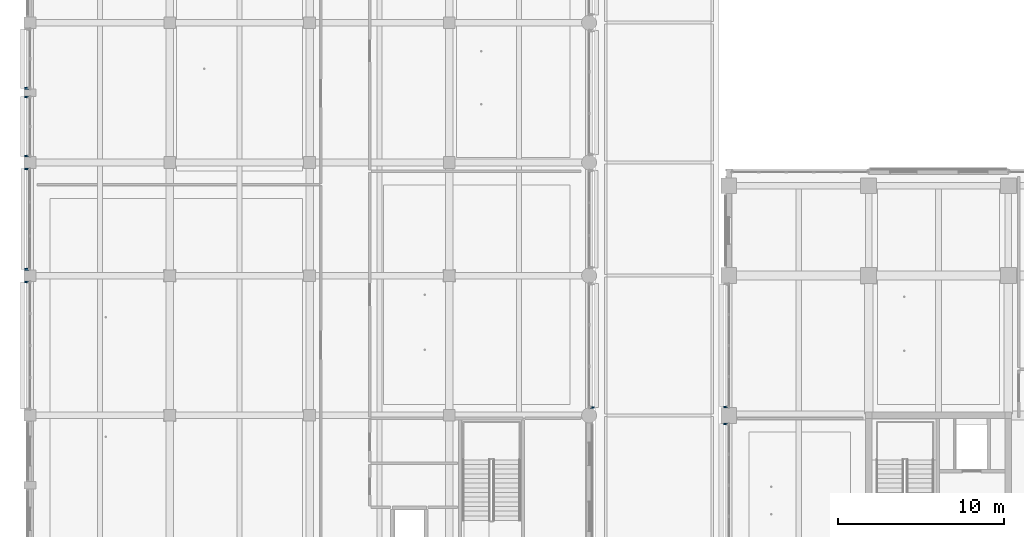
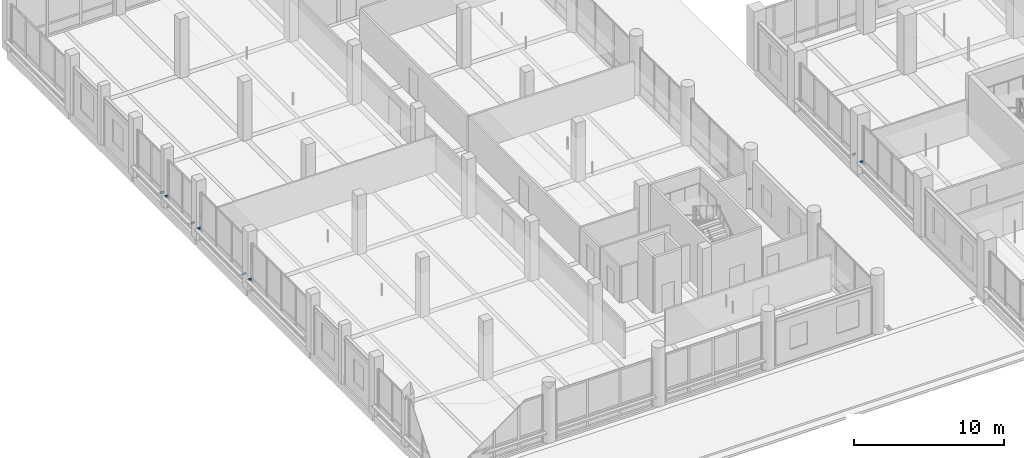
# One storey, part 73 of 128: 9 discrete accessories.
"""IFC4 building model written with IfcOpenShell, lengths in metres."""

from ifc_helpers import new_model, si_unit, direction, frame, origin, origin_2d, place, context, subcontext, project, spatial, rectangle, extrude, material, type_object, element, save


model = new_model("IFC4")

# Units and contexts
model_context = context("Model", 3, precision=1e-05, world=origin(), true_north=direction((0.0, 1.0)))
body_context = subcontext(model_context, "Body", "Model", "MODEL_VIEW")
ifc_project = project(units=[si_unit("LENGTHUNIT", "METRE"), si_unit("AREAUNIT", "SQUARE_METRE"), si_unit("VOLUMEUNIT", "CUBIC_METRE"), si_unit("PLANEANGLEUNIT", "RADIAN"), si_unit("MASSUNIT", "GRAM", prefix="KILO")], contexts=[model_context])

# Site, building, storey
site_placement = place(None, origin())
site = spatial("IfcSite", under=ifc_project, at=site_placement, CompositionType="ELEMENT")
building_placement = place(site_placement, origin())
building = spatial("IfcBuilding", under=site, at=building_placement, Name="Telukmera Botanical Conservatory", CompositionType="ELEMENT")
storey_placement = place(building_placement, frame((0.0, 0.0, 5.39990234375)))
storey = spatial("IfcBuildingStorey", under=building, at=storey_placement, Name="L01", CompositionType="ELEMENT", Elevation=5.39990234375)

# Discrete accessories
ifc_material = material(Name="Steel S355", Category="steel")
discrete_accessory_type = type_object("IfcDiscreteAccessoryType", Name="Structural Steel Facade Outrigger Fin Bracket", PredefinedType="BRACKET", material=ifc_material)
for number, where, z_axis, x_axis, name in (
    (1, (8.199951171875, 42.41552734375, 0.88037109375), (0.0, 0.0, 1.0), (0.0, 1.0, 0.0), "Facade Outrigger Bracket V3:L01:W3 B"),
    (2, (8.2099609375, 43.181884765625, 0.88037109375), (0.0, 0.0, 1.0), (0.0, 1.0, 0.0), "Facade Outrigger Bracket V3:L01:W4 A"),
    (3, (8.2099609375, 49.218017578125, 0.88037109375), (0.0, 0.0, 1.0), (0.0, 1.0, 0.0), "Facade Outrigger Bracket V3:L01:W4 B"),
    (4, (8.199951171875, 49.984619140625, 0.88037109375), (0.0, 0.0, 1.0), (0.0, 1.0, 0.0), "Facade Outrigger Bracket V3:L01:W5A A"),
    (5, (8.199951171875, 53.54052734375, 0.88037109375), (0.0, 0.0, 1.0), (0.0, 1.0, 0.0), "Facade Outrigger Bracket V3:L01:W5A B"),
    (6, (8.199951171875, 54.0595703125, 0.88037109375), (0.0, 0.0, 1.0), (0.0, 1.0, 0.0), "Facade Outrigger Bracket V3:L01:W5B A"),
    (7, (42.199951171875, 34.884521484375, 0.88037109375), (0.0, 0.0, 1.0), (0.0, 1.0, 0.0), "Facade Outrigger Bracket V3:L01:E3 A"),
    (8, (50.199951171875, 33.890380859375, 0.88037109375), (0.0, 0.0, 1.0), (0.0, 1.0, 0.0), "Facade Outrigger Bracket V4:L01:W3 B"),
    (9, (50.199951171875, 34.909423828125, 0.88037109375), (0.0, 0.0, 1.0), (0.0, 1.0, 0.0), "Facade Outrigger Bracket V4:L01:W4 A"),
):
    element("IfcDiscreteAccessory", number, at=place(storey_placement, frame(where, z_axis=z_axis, x_axis=x_axis)), inside=storey, type_object=discrete_accessory_type, Name=name, PredefinedType="BRACKET", context=body_context, shape_type="SweptSolid", body=[
        extrude(rectangle(XDim=0.10009765625, YDim=0.239990234375, at=origin_2d()), origin(), (0.0, 0.0, 1.0), 0.139892578125),
    ])

save(model, "model.ifc")
